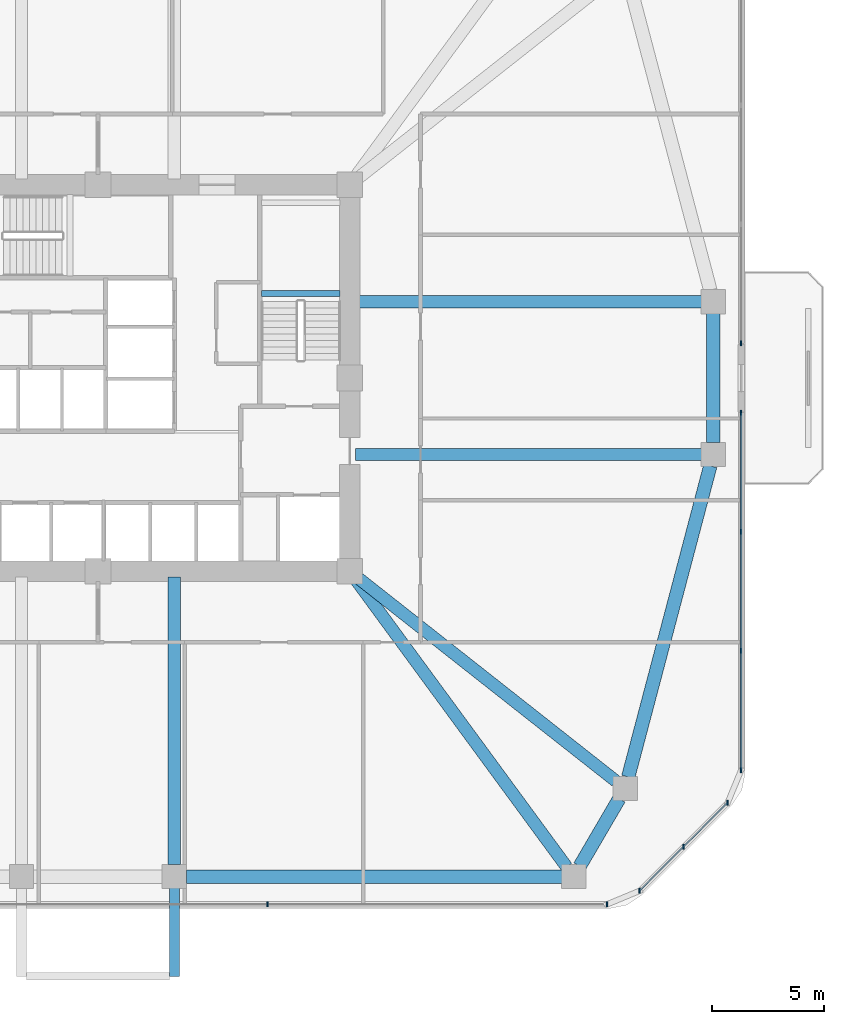
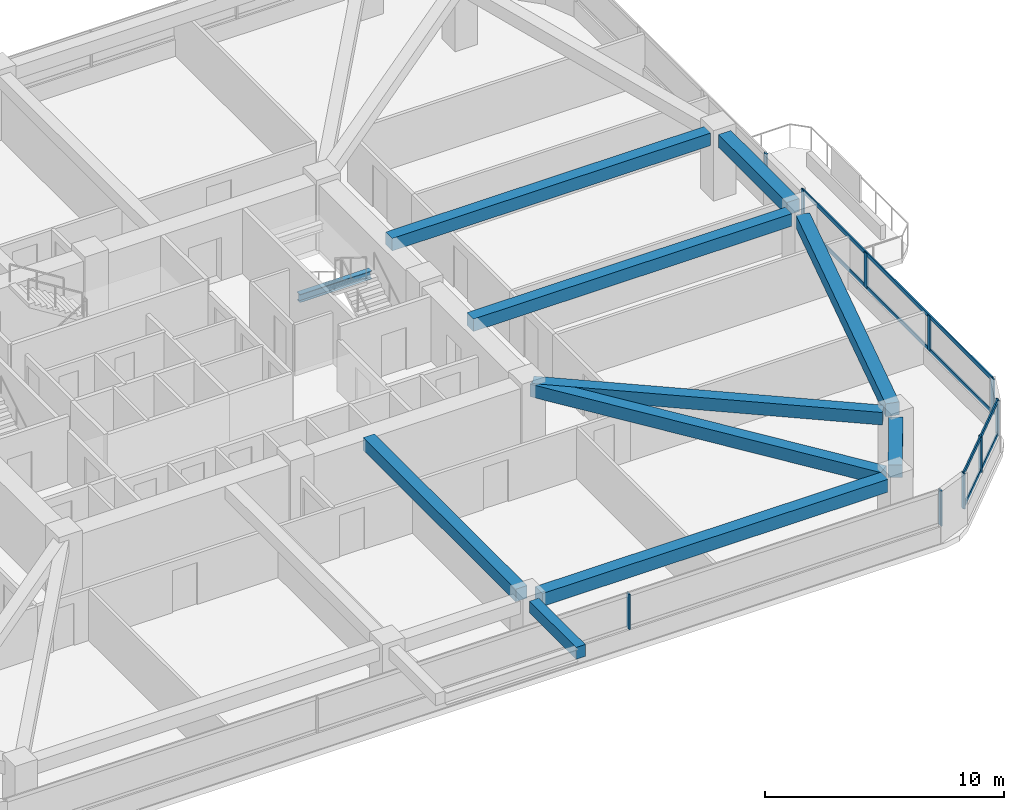
# One storey, part 5 of 13: 14 members, 11 beams, 4 elements without a shape of their own.
"""IFC4 building model written with IfcOpenShell, lengths in metres."""

from ifc_helpers import new_model, si_unit, derived_unit, direction, frame, origin, origin_2d, place, context, subcontext, project, spatial, rectangle, i_section, extrude, material, material_profile, profile_set, type_object, element, aggregate, save


model = new_model("IFC4")

# Units and contexts
model_context = context("Model", 3, precision=1e-05, world=origin(), true_north=direction((0.0, 1.0)))
body_context = subcontext(model_context, "Body", "Model", "MODEL_VIEW")
ifc_project = project(units=[si_unit("LENGTHUNIT", "METRE"), si_unit("AREAUNIT", "SQUARE_METRE"), si_unit("VOLUMEUNIT", "CUBIC_METRE"), si_unit("PLANEANGLEUNIT", "RADIAN"), si_unit("MASSUNIT", "GRAM", prefix="KILO"), derived_unit("THERMALTRANSMITTANCEUNIT", [(si_unit("POWERUNIT", "WATT"), 1), (si_unit("LENGTHUNIT", "METRE"), -2), (si_unit("THERMODYNAMICTEMPERATUREUNIT", "KELVIN"), -1)])], contexts=[model_context])

# Site, building, storey
site_placement = place(None, origin())
site = spatial("IfcSite", under=ifc_project, at=site_placement, CompositionType="ELEMENT")
building_placement = place(site_placement, origin())
building = spatial("IfcBuilding", under=site, at=building_placement, Name="Koralith Skygarden Medical Center", CompositionType="ELEMENT")
storey_placement = place(building_placement, frame((0.0, 0.0, 59.93994140625)))
storey = spatial("IfcBuildingStorey", under=building, at=storey_placement, Name="L15", CompositionType="ELEMENT", Elevation=59.93994140625)

# Curtain wall, members
ifc_material_1 = material(Name="Clear Laminated Glass", Category="glass")
curtain_wall_type = type_object("IfcCurtainWallType", Name="CW-2 Zone 1 Hurricane Unitised Curtain Wall", PredefinedType="NOTDEFINED", material=ifc_material_1)
curtain_wall_1_placement = place(storey_placement, origin())
curtain_wall_1 = element("IfcCurtainWall", 1, at=curtain_wall_1_placement, inside=storey, type_object=curtain_wall_type, Name="Curtain Wall CW-L15-S", PredefinedType="NOTDEFINED")
ifc_material_2 = material(Name="Aluminium 6063-T6", Category="aluminium")
ifc_material_profile_1 = material_profile(ifc_material_2, rectangle(XDim=0.071044921875, YDim=0.219970703125, at=origin_2d()), Name="MUL71X220")
ifc_profile_set_1 = profile_set([ifc_material_profile_1], Name="Aluminium 6063-T6")
member_type_1 = type_object("IfcMemberType", Name="CW-2 Extruded Mullion 71x220", PredefinedType="MULLION", material=ifc_profile_set_1)
member_1_placement = place(storey_placement, frame((44.548095703125, 2.47998046875, 0.85009765625), z_axis=(0.0, 0.0, 1.0), x_axis=(1.0, 0.0, 0.0)))
member_1 = element("IfcMember", 2, at=member_1_placement, type_object=member_type_1, Name="CW-L15-S Mullion 3", PredefinedType="MULLION", context=body_context, shape_type="SweptSolid", body=[
    extrude(rectangle(XDim=0.071044921875, YDim=0.219970703125, at=origin_2d()), origin(), (0.0, 0.0, 1.0), 1.800048828125),
])
member_2_placement = place(storey_placement, frame((59.64501953125, 2.47998046875, 0.85009765625), z_axis=(0.0, 0.0, 1.0), x_axis=(1.0, 0.0, 0.0)))
member_2 = element("IfcMember", 3, at=member_2_placement, type_object=member_type_1, Name="CW-L15-S Mullion 4", PredefinedType="MULLION", context=body_context, shape_type="SweptSolid", body=[
    extrude(rectangle(XDim=0.071044921875, YDim=0.219970703125, at=origin_2d()), origin(), (0.0, 0.0, 1.0), 1.800048828125),
])
aggregate(curtain_wall_1, [member_1, member_2])

curtain_wall_2_placement = place(storey_placement, origin())
curtain_wall_2 = element("IfcCurtainWall", 4, at=curtain_wall_2_placement, inside=storey, type_object=curtain_wall_type, Name="Curtain Wall CW-L15-SE", PredefinedType="NOTDEFINED")
member_3_placement = place(storey_placement, frame((61.095947265625, 3.0810546875, 0.85009765625), z_axis=(0.0, 0.0, 1.0), x_axis=(1.0, 0.0, 0.0)))
member_3 = element("IfcMember", 5, at=member_3_placement, type_object=member_type_1, Name="CW-L15-SE Mullion 1", PredefinedType="MULLION", context=body_context, shape_type="SweptSolid", body=[
    extrude(rectangle(XDim=0.071044921875, YDim=0.219970703125, at=origin_2d()), origin(), (0.0, 0.0, 1.0), 1.800048828125),
])
member_4_placement = place(storey_placement, frame((63.056884765625, 5.0419921875, 0.85009765625), z_axis=(0.0, 0.0, 1.0), x_axis=(1.0, 0.0, 0.0)))
member_4 = element("IfcMember", 6, at=member_4_placement, type_object=member_type_1, Name="CW-L15-SE Mullion 2", PredefinedType="MULLION", context=body_context, shape_type="SweptSolid", body=[
    extrude(rectangle(XDim=0.071044921875, YDim=0.219970703125, at=origin_2d()), origin(), (0.0, 0.0, 1.0), 1.800048828125),
])
member_5_placement = place(storey_placement, frame((65.01904296875, 7.00390625, 0.85009765625), z_axis=(0.0, 0.0, 1.0), x_axis=(1.0, 0.0, 0.0)))
member_5 = element("IfcMember", 7, at=member_5_placement, type_object=member_type_1, Name="CW-L15-SE Mullion 3", PredefinedType="MULLION", context=body_context, shape_type="SweptSolid", body=[
    extrude(rectangle(XDim=0.071044921875, YDim=0.219970703125, at=origin_2d()), origin(), (0.0, 0.0, 1.0), 1.800048828125),
])

curtain_wall_3_placement = place(storey_placement, origin())
curtain_wall_3 = element("IfcCurtainWall", 8, at=curtain_wall_3_placement, inside=storey, type_object=curtain_wall_type, Name="Curtain Wall CW-L15-E-L", PredefinedType="NOTDEFINED")
member_6_placement = place(storey_placement, frame((65.6201171875, 8.455078125, 0.85009765625), z_axis=(0.0, 0.0, 1.0), x_axis=(1.0, 0.0, 0.0)))
member_6 = element("IfcMember", 9, at=member_6_placement, type_object=member_type_1, Name="CW-L15-E-L Mullion 1", PredefinedType="MULLION", context=body_context, shape_type="SweptSolid", body=[
    extrude(rectangle(XDim=0.071044921875, YDim=0.219970703125, at=origin_2d()), origin(), (0.0, 0.0, 1.0), 1.800048828125),
])
member_7_placement = place(storey_placement, frame((65.6201171875, 13.757080078125, 0.85009765625), z_axis=(0.0, 0.0, 1.0), x_axis=(1.0, 0.0, 0.0)))
member_7 = element("IfcMember", 10, at=member_7_placement, type_object=member_type_1, Name="CW-L15-E-L Mullion 2", PredefinedType="MULLION", context=body_context, shape_type="SweptSolid", body=[
    extrude(rectangle(XDim=0.071044921875, YDim=0.219970703125, at=origin_2d()), origin(), (0.0, 0.0, 1.0), 1.800048828125),
])
member_8_placement = place(storey_placement, frame((65.6201171875, 19.05810546875, 0.85009765625), z_axis=(0.0, 0.0, 1.0), x_axis=(1.0, 0.0, 0.0)))
member_8 = element("IfcMember", 11, at=member_8_placement, type_object=member_type_1, Name="CW-L15-E-L Mullion 3", PredefinedType="MULLION", context=body_context, shape_type="SweptSolid", body=[
    extrude(rectangle(XDim=0.071044921875, YDim=0.219970703125, at=origin_2d()), origin(), (0.0, 0.0, 1.0), 1.800048828125),
])
member_9_placement = place(storey_placement, frame((65.6201171875, 24.360107421875, 0.85009765625), z_axis=(0.0, 0.0, 1.0), x_axis=(1.0, 0.0, 0.0)))
member_9 = element("IfcMember", 12, at=member_9_placement, type_object=member_type_1, Name="CW-L15-E-L Mullion 4", PredefinedType="MULLION", context=body_context, shape_type="SweptSolid", body=[
    extrude(rectangle(XDim=0.071044921875, YDim=0.219970703125, at=origin_2d()), origin(), (0.0, 0.0, 1.0), 1.800048828125),
])

# Curtain wall, member
curtain_wall_4_placement = place(storey_placement, origin())
curtain_wall_4 = element("IfcCurtainWall", 13, at=curtain_wall_4_placement, inside=storey, type_object=curtain_wall_type, Name="Curtain Wall CW-L15-E-R", PredefinedType="NOTDEFINED")
member_10_placement = place(storey_placement, frame((65.6201171875, 27.43994140625, 0.85009765625), z_axis=(0.0, 0.0, 1.0), x_axis=(1.0, 0.0, 0.0)))
member_10 = element("IfcMember", 14, at=member_10_placement, type_object=member_type_1, Name="CW-L15-E-R Mullion 1", PredefinedType="MULLION", context=body_context, shape_type="SweptSolid", body=[
    extrude(rectangle(XDim=0.071044921875, YDim=0.219970703125, at=origin_2d()), origin(), (0.0, 0.0, 1.0), 1.800048828125),
])
aggregate(curtain_wall_4, [member_10])

# Member
ifc_material_profile_2 = material_profile(ifc_material_2, rectangle(XDim=0.06591796875, YDim=0.197998046875, at=origin_2d()), Name="TRN66X198")
ifc_profile_set_2 = profile_set([ifc_material_profile_2], Name="Aluminium 6063-T6")
member_type_2 = type_object("IfcMemberType", Name="CW-2 Thermal Transom 66x198", PredefinedType="USERDEFINED", material=ifc_profile_set_2)
member_11_placement = place(storey_placement, frame((61.095947265625, 3.0810546875, 0.900146484375), z_axis=(0.707128783731, 0.707084777957, 0.0), x_axis=(-0.707084777957, 0.707128783731, 0.0)))
member_11 = element("IfcMember", 15, at=member_11_placement, type_object=member_type_2, Name="CW-L15-SE Transom 1", ObjectType="TRANSOM", PredefinedType="USERDEFINED", context=body_context, shape_type="SweptSolid", body=[
    extrude(rectangle(XDim=0.06591796875, YDim=0.197998046875, at=origin_2d()), origin(), (0.0, 0.0, 1.0), 5.5478515625),
])

member_12_placement = place(storey_placement, frame((61.095947265625, 3.0810546875, 2.60009765625), z_axis=(0.707128783731, 0.707084777957, 0.0), x_axis=(-0.707084777957, 0.707128783731, 0.0)))
member_12 = element("IfcMember", 16, at=member_12_placement, type_object=member_type_2, Name="CW-L15-SE Transom 2", ObjectType="TRANSOM", PredefinedType="USERDEFINED", context=body_context, shape_type="SweptSolid", body=[
    extrude(rectangle(XDim=0.06591796875, YDim=0.197998046875, at=origin_2d()), origin(), (0.0, 0.0, 1.0), 5.5478515625),
])

aggregate(curtain_wall_2, [member_3, member_4, member_5, member_11, member_12])

member_13_placement = place(storey_placement, frame((65.6201171875, 8.455078125, 0.900146484375), z_axis=(0.0, 1.0, 0.0), x_axis=(-1.0, 0.0, 0.0)))
member_13 = element("IfcMember", 17, at=member_13_placement, type_object=member_type_2, Name="CW-L15-E-L Transom 1", ObjectType="TRANSOM", PredefinedType="USERDEFINED", context=body_context, shape_type="SweptSolid", body=[
    extrude(rectangle(XDim=0.06591796875, YDim=0.197998046875, at=origin_2d()), origin(), (0.0, 0.0, 1.0), 15.905029296875),
])

member_14_placement = place(storey_placement, frame((65.6201171875, 8.455078125, 2.60009765625), z_axis=(0.0, 1.0, 0.0), x_axis=(-1.0, 0.0, 0.0)))
member_14 = element("IfcMember", 18, at=member_14_placement, type_object=member_type_2, Name="CW-L15-E-L Transom 2", ObjectType="TRANSOM", PredefinedType="USERDEFINED", context=body_context, shape_type="SweptSolid", body=[
    extrude(rectangle(XDim=0.06591796875, YDim=0.197998046875, at=origin_2d()), origin(), (0.0, 0.0, 1.0), 15.905029296875),
])

aggregate(curtain_wall_3, [member_6, member_7, member_8, member_9, member_13, member_14])

# Beams
ifc_material_3 = material(Name="Steel ASTM A992 Grade 50", Category="steel")
ifc_material_profile_3 = material_profile(ifc_material_3, i_section(OverallWidth=0.260009765625, OverallDepth=0.4150390625, WebThickness=0.010009765625, FlangeThickness=0.016845703125, at=origin_2d()), Name="W16X67")
ifc_profile_set_3 = profile_set([ifc_material_profile_3], Name="Steel ASTM A992 Grade 50")
beam_type_1 = type_object("IfcBeamType", Name="Clinical Floor Joist W16X67", PredefinedType="JOIST", material=ifc_profile_set_3)
beam_1_placement = place(storey_placement, frame((44.280029296875, 29.659912109375, 1.39208984375), z_axis=(1.0, 0.0, 0.0), x_axis=(0.0, 1.0, 0.0)))
element("IfcBeam", 19, at=beam_1_placement, inside=storey, type_object=beam_type_1, Name="L15 Stair ST2 Half-Landing Support Beam 1A", PredefinedType="JOIST", context=body_context, shape_type="SweptSolid", body=[
    extrude(i_section(OverallWidth=0.260009765625, OverallDepth=0.4150390625, WebThickness=0.010009765625, FlangeThickness=0.016845703125, at=origin_2d()), origin(), (0.0, 0.0, 1.0), 3.489990234375),
])
ifc_material_4 = material(Name="Concrete C45/55", Category="concrete")
ifc_material_profile_4 = material_profile(ifc_material_4, rectangle(XDim=0.449951171875, YDim=0.60009765625, at=origin_2d()), Name="RCB450X600")
ifc_profile_set_4 = profile_set([ifc_material_profile_4], Name="Concrete C45/55")
beam_type_2 = type_object("IfcBeamType", Name="Planted Balcony Cantilever Beam RCB450X600", PredefinedType="BEAM", material=ifc_profile_set_4)
beam_2_placement = place(storey_placement, frame((40.39990234375, 3.199951171875, 3.0400390625), z_axis=(0.0, -1.0, 0.0), x_axis=(1.0, 0.0, 0.0)))
element("IfcBeam", 20, at=beam_2_placement, inside=storey, type_object=beam_type_2, Name="L16 S Balcony Cantilever Beam B", PredefinedType="BEAM", context=body_context, shape_type="SweptSolid", body=[
    extrude(rectangle(XDim=0.449951171875, YDim=0.60009765625, at=origin_2d()), origin(), (0.0, 0.0, 1.0), 3.919921875),
])
ifc_material_profile_5 = material_profile(ifc_material_4, rectangle(XDim=0.550048828125, YDim=0.639892578125, at=origin_2d()), Name="RCB550X640")
ifc_profile_set_5 = profile_set([ifc_material_profile_5], Name="Concrete C45/55")
beam_type_3 = type_object("IfcBeamType", Name="Radial Collector Beam RCB550X640", PredefinedType="BEAM", material=ifc_profile_set_5)
beam_3_placement = place(storey_placement, frame((40.39990234375, 17.050048828125, 3.0), z_axis=(0.0, -1.0, 0.0), x_axis=(1.0, 0.0, 0.0)))
element("IfcBeam", 21, at=beam_3_placement, inside=storey, type_object=beam_type_3, Name="L15 Radial Collector Beam RB-05", PredefinedType="BEAM", context=body_context, shape_type="SweptSolid", body=[
    extrude(rectangle(XDim=0.550048828125, YDim=0.639892578125, at=origin_2d()), origin(), (0.0, 0.0, 1.0), 12.800048828125),
])
beam_4_placement = place(storey_placement, frame((48.347900390625, 17.097900390625, 3.0), z_axis=(0.591718052249, -0.806144991079, 0.0), x_axis=(0.806144991079, 0.591718052249, 0.0)))
element("IfcBeam", 22, at=beam_4_placement, inside=storey, type_object=beam_type_3, Name="L15 Radial Collector Beam RB-06", PredefinedType="BEAM", context=body_context, shape_type="SweptSolid", body=[
    extrude(rectangle(XDim=0.550048828125, YDim=0.639892578125, at=origin_2d()), origin(), (0.0, 0.0, 1.0), 16.065185546875),
])
beam_5_placement = place(storey_placement, frame((48.39599609375, 17.14501953125, 3.0), z_axis=(0.785497250365, -0.618865146594, 0.0), x_axis=(0.618865146594, 0.785497250365, 0.0)))
element("IfcBeam", 23, at=beam_5_placement, inside=storey, type_object=beam_type_3, Name="L15 Radial Collector Beam RB-07", PredefinedType="BEAM", context=body_context, shape_type="SweptSolid", body=[
    extrude(rectangle(XDim=0.550048828125, YDim=0.639892578125, at=origin_2d()), origin(), (0.0, 0.0, 1.0), 14.828857421875),
])
for number, where, z_axis, x_axis, name in (
    (24, (48.449951171875, 22.5, 3.0), (1.0, 0.0, 0.0), (0.0, 1.0, 0.0), "L15 Radial Collector Beam RB-08"),
    (25, (48.449951171875, 29.300048828125, 3.0), (1.0, 0.0, 0.0), (0.0, 1.0, 0.0), "L15 Radial Collector Beam RB-09"),
):
    element("IfcBeam", number, at=place(storey_placement, frame(where, z_axis=z_axis, x_axis=x_axis)), inside=storey, type_object=beam_type_3, Name=name, PredefinedType="BEAM", context=body_context, shape_type="SweptSolid", body=[
        extrude(rectangle(XDim=0.550048828125, YDim=0.639892578125, at=origin_2d()), origin(), (0.0, 0.0, 1.0), 15.400146484375),
    ])
ifc_material_profile_6 = material_profile(ifc_material_4, rectangle(XDim=0.60009765625, YDim=0.659912109375, at=origin_2d()), Name="RCB600X660")
ifc_profile_set_6 = profile_set([ifc_material_profile_6], Name="Concrete C45/55")
beam_type_4 = type_object("IfcBeamType", Name="Zone 1 Spandrel Beam RCB600X660", PredefinedType="SPANDREL", material=ifc_profile_set_6)
beam_6_placement = place(storey_placement, frame((40.929931640625, 3.719970703125, 2.989990234375), z_axis=(1.0, 0.0, 0.0), x_axis=(0.0, 1.0, 0.0)))
element("IfcBeam", 26, at=beam_6_placement, inside=storey, type_object=beam_type_4, Name="L15 Perimeter Spandrel Beam SP-05", PredefinedType="SPANDREL", context=body_context, shape_type="SweptSolid", body=[
    extrude(rectangle(XDim=0.60009765625, YDim=0.659912109375, at=origin_2d()), origin(), (0.0, 0.0, 1.0), 16.7080078125),
])
beam_7_placement = place(storey_placement, frame((58.43603515625, 4.177978515625, 2.989990234375), z_axis=(0.504638660636, 0.863330656349, 0.0), x_axis=(-0.863330656349, 0.504638660636, 0.0)))
element("IfcBeam", 27, at=beam_7_placement, inside=storey, type_object=beam_type_4, Name="L15 Perimeter Spandrel Beam SP-06", PredefinedType="SPANDREL", context=body_context, shape_type="SweptSolid", body=[
    extrude(rectangle(XDim=0.60009765625, YDim=0.659912109375, at=origin_2d()), origin(), (0.0, 0.0, 1.0), 3.4794921875),
])
beam_8_placement = place(storey_placement, frame((60.594970703125, 8.152099609375, 2.989990234375), z_axis=(0.255088684842, 0.966917660851, 0.0), x_axis=(-0.966917660851, 0.255088684842, 0.0)))
element("IfcBeam", 28, at=beam_8_placement, inside=storey, type_object=beam_type_4, Name="L15 Perimeter Spandrel Beam SP-07", PredefinedType="SPANDREL", context=body_context, shape_type="SweptSolid", body=[
    extrude(rectangle(XDim=0.60009765625, YDim=0.659912109375, at=origin_2d()), origin(), (0.0, 0.0, 1.0), 14.309326171875),
])
beam_9_placement = place(storey_placement, frame((64.3798828125, 23.030029296875, 2.989990234375), z_axis=(0.0, 1.0, 0.0), x_axis=(-1.0, 0.0, 0.0)))
element("IfcBeam", 29, at=beam_9_placement, inside=storey, type_object=beam_type_4, Name="L15 Perimeter Spandrel Beam SP-08", PredefinedType="SPANDREL", context=body_context, shape_type="SweptSolid", body=[
    extrude(rectangle(XDim=0.60009765625, YDim=0.659912109375, at=origin_2d()), origin(), (0.0, 0.0, 1.0), 5.739990234375),
])

save(model, "model.ifc")
